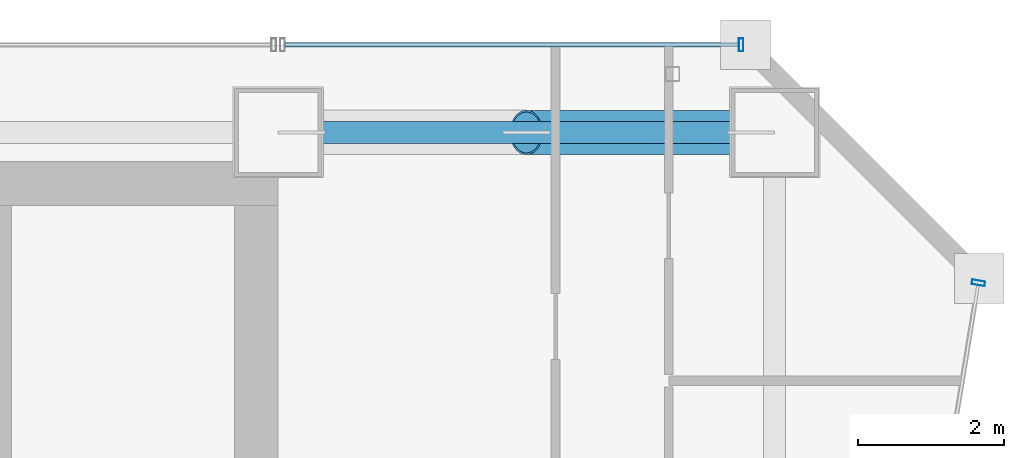
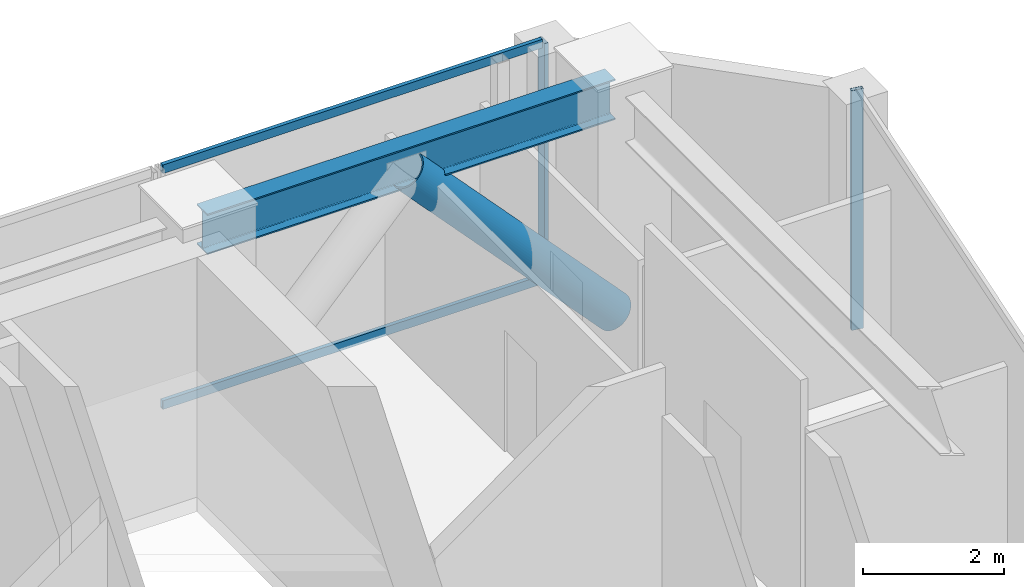
# One storey, part 32 of 40: 5 members, 1 beam, 2 elements without a shape of their own.
"""IFC4 building model written with IfcOpenShell, lengths in metres."""

from ifc_helpers import new_model, si_unit, direction, frame, origin, origin_2d, place, context, subcontext, project, spatial, hollow_rectangle, hollow_circle, i_section, extrude, material, material_profile, profile_set, type_object, element, aggregate, save


model = new_model("IFC4")

# Units and contexts
model_context = context("Model", 3, precision=1e-05, world=origin(), true_north=direction((0.0, 1.0)))
body_context = subcontext(model_context, "Body", "Model", "MODEL_VIEW")
ifc_project = project(units=[si_unit("LENGTHUNIT", "METRE"), si_unit("AREAUNIT", "SQUARE_METRE"), si_unit("VOLUMEUNIT", "CUBIC_METRE"), si_unit("PLANEANGLEUNIT", "RADIAN"), si_unit("MASSUNIT", "GRAM", prefix="KILO")], contexts=[model_context])

# Site, building, storey
site_placement = place(None, origin())
site = spatial("IfcSite", under=ifc_project, at=site_placement, CompositionType="ELEMENT")
building_placement = place(site_placement, origin())
building = spatial("IfcBuilding", under=site, at=building_placement, Name="Saevonmaru Cultural Tower", CompositionType="ELEMENT")
storey_placement = place(building_placement, frame((0.0, 0.0, 97.199951171875)))
storey = spatial("IfcBuildingStorey", under=building, at=storey_placement, Name="L20", CompositionType="ELEMENT", Elevation=97.199951171875)

# Beam
ifc_material_1 = material(Name="Steel SM355", Category="steel")
ifc_material_profile_1 = material_profile(ifc_material_1, i_section(OverallWidth=0.300048828125, OverallDepth=0.699951171875, WebThickness=0.012939453125, FlangeThickness=0.02392578125, FilletRadius=0.02587890625, at=origin_2d()), Name="H-700x300x13x24")
ifc_profile_set_1 = profile_set([ifc_material_profile_1], Name="Steel SM355")
beam_type = type_object("IfcBeamType", Name="BM-SP-H700", PredefinedType="SPANDREL", material=ifc_profile_set_1)
beam_placement = place(storey_placement, frame((46.4599609375, 54.800048828125, 3.800048828125), z_axis=(1.0, 0.0, 0.0), x_axis=(0.0, 1.0, 0.0)))
element("IfcBeam", 1, at=beam_placement, inside=storey, type_object=beam_type, Name="L20 North Spine Girder 5", PredefinedType="SPANDREL", context=body_context, shape_type="SweptSolid", body=[
    extrude(i_section(OverallWidth=0.300048828125, OverallDepth=0.699951171875, WebThickness=0.012939453125, FlangeThickness=0.02392578125, FilletRadius=0.02587890625, at=origin_2d()), origin(), (0.0, 0.0, 1.0), 6.679931640625),
])

# Member
ifc_material_2 = material(Name="Steel HSA600 (600 MPa)", Category="steel")
ifc_material_profile_2 = material_profile(ifc_material_2, hollow_circle(Radius=0.3046875, WallThickness=0.02490234375, at=origin_2d()), Name="CHS-609.6x25")
ifc_profile_set_2 = profile_set([ifc_material_profile_2], Name="Steel HSA600 (600 MPa)")
member_type_1 = type_object("IfcMemberType", Name="MB-PBR-CHS610", PredefinedType="BRACE", material=ifc_profile_set_2)
member_1_placement = place(storey_placement, frame((53.199951171875, 54.800048828125, 0.02001953125), z_axis=(-0.681578526789, 0.0, 0.731744977311), x_axis=(0.0, -1.0, 0.0)))
element("IfcMember", 2, at=member_1_placement, inside=storey, type_object=member_type_1, Name="L20 Perimeter Braced-Tube Diagonal EN2", PredefinedType="BRACE", context=body_context, shape_type="SweptSolid", body=[
    extrude(hollow_circle(Radius=0.3046875, WallThickness=0.02490234375, at=origin_2d()), origin(), (0.0, 0.0, 1.0), 4.98828125),
])

# Curtain wall, member
ifc_material_3 = material(Name="Satin Bronze Anodised Aluminium", Category="aluminium")
curtain_wall_type = type_object("IfcCurtainWallType", Name="CW-TYP-A", PredefinedType="NOTDEFINED", material=ifc_material_3)
curtain_wall_1_placement = place(storey_placement, origin())
curtain_wall_1 = element("IfcCurtainWall", 3, at=curtain_wall_1_placement, inside=storey, type_object=curtain_wall_type, Name="L20 Unitised Curtain Wall E8", PredefinedType="NOTDEFINED")
ifc_material_profile_3 = material_profile(ifc_material_3, hollow_rectangle(XDim=0.06494140625, YDim=0.179931640625, WallThickness=0.00390625, at=origin_2d()), Name="ALU-MULL-180x65x4")
ifc_profile_set_3 = profile_set([ifc_material_profile_3], Name="Satin Bronze Anodised Aluminium")
member_type_2 = type_object("IfcMemberType", Name="ML-CW-180x65", PredefinedType="MULLION", material=ifc_profile_set_3)
member_2_placement = place(storey_placement, frame((55.990234375, 52.74072265625, 0.0), z_axis=(0.0, 0.0, 1.0), x_axis=(0.161708868641, 0.986838508472, 0.0)))
member_2 = element("IfcMember", 4, at=member_2_placement, type_object=member_type_2, Name="CW-TW-L20-E8 mullion 5", PredefinedType="MULLION", context=body_context, shape_type="SweptSolid", body=[
    extrude(hollow_rectangle(XDim=0.06494140625, YDim=0.179931640625, WallThickness=0.00390625, at=origin_2d()), origin(), (0.0, 0.0, 1.0), 4.150146484375),
])
aggregate(curtain_wall_1, [member_2])

# Curtain wall, members
curtain_wall_2_placement = place(storey_placement, origin())
curtain_wall_2 = element("IfcCurtainWall", 5, at=curtain_wall_2_placement, inside=storey, type_object=curtain_wall_type, Name="L20 East Braced Bay Spandrel Curtain Wall E10A", PredefinedType="NOTDEFINED")
member_3_placement = place(storey_placement, frame((52.739990234375, 56.0, 0.0), z_axis=(0.0, 0.0, 1.0), x_axis=(-1.0, 0.0, 0.0)))
member_3 = element("IfcMember", 6, at=member_3_placement, type_object=member_type_2, Name="CW-TW-L20-E10A mullion 1", PredefinedType="MULLION", context=body_context, shape_type="SweptSolid", body=[
    extrude(hollow_rectangle(XDim=0.06494140625, YDim=0.179931640625, WallThickness=0.00390625, at=origin_2d()), origin(), (0.0, 0.0, 1.0), 4.150146484375),
])
ifc_material_profile_4 = material_profile(ifc_material_3, hollow_rectangle(XDim=0.06494140625, YDim=0.14990234375, WallThickness=0.00390625, at=origin_2d()), Name="ALU-TRAN-150x65x4")
ifc_profile_set_4 = profile_set([ifc_material_profile_4], Name="Satin Bronze Anodised Aluminium")
member_type_3 = type_object("IfcMemberType", Name="TR-CW-150x65", PredefinedType="USERDEFINED", material=ifc_profile_set_4)
member_4_placement = place(storey_placement, frame((52.70751953125, 56.0, 0.032470703125), z_axis=(-1.0, 0.0, 0.0), x_axis=(0.0, -1.0, 0.0)))
member_4 = element("IfcMember", 7, at=member_4_placement, type_object=member_type_3, Name="CW-TW-L20-E10A transom 1.1", ObjectType="TRANSOM", PredefinedType="USERDEFINED", context=body_context, shape_type="SweptSolid", body=[
    extrude(hollow_rectangle(XDim=0.06494140625, YDim=0.14990234375, WallThickness=0.00390625, at=origin_2d()), origin(), (0.0, 0.0, 1.0), 6.215087890625),
])
member_5_placement = place(storey_placement, frame((52.70751953125, 56.0, 4.117431640625), z_axis=(-1.0, 0.0, 0.0), x_axis=(0.0, -1.0, 0.0)))
member_5 = element("IfcMember", 8, at=member_5_placement, type_object=member_type_3, Name="CW-TW-L20-E10A transom 1.2", ObjectType="TRANSOM", PredefinedType="USERDEFINED", context=body_context, shape_type="SweptSolid", body=[
    extrude(hollow_rectangle(XDim=0.06494140625, YDim=0.14990234375, WallThickness=0.00390625, at=origin_2d()), origin(), (0.0, 0.0, 1.0), 6.215087890625),
])
aggregate(curtain_wall_2, [member_3, member_4, member_5])

save(model, "model.ifc")
